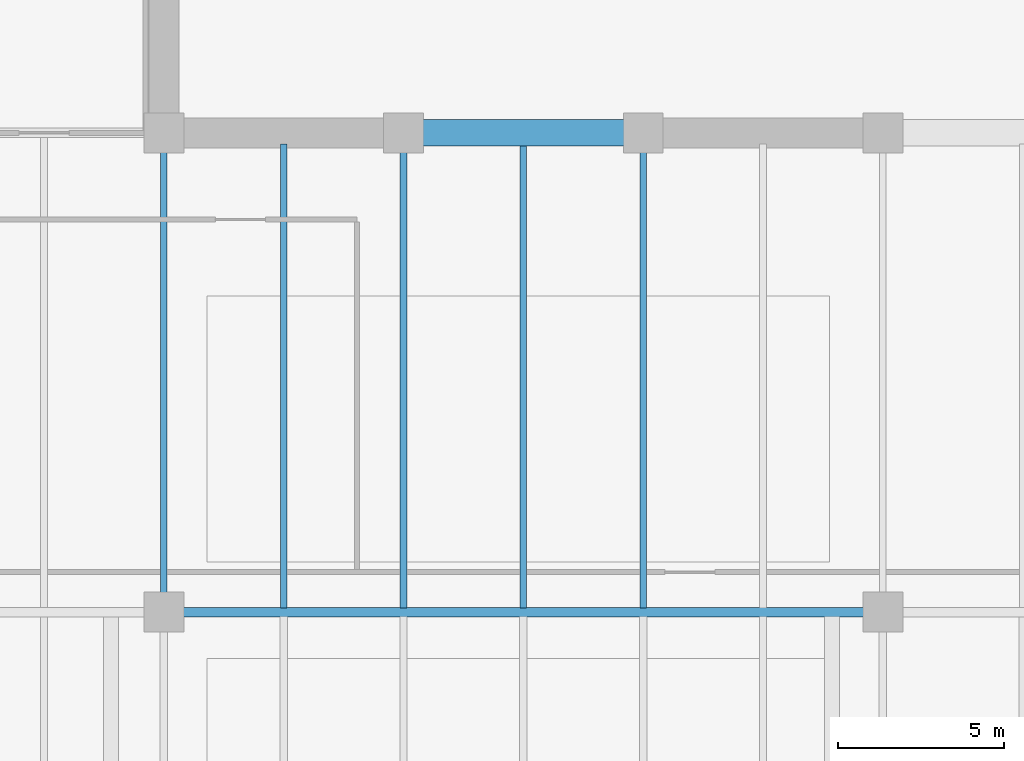
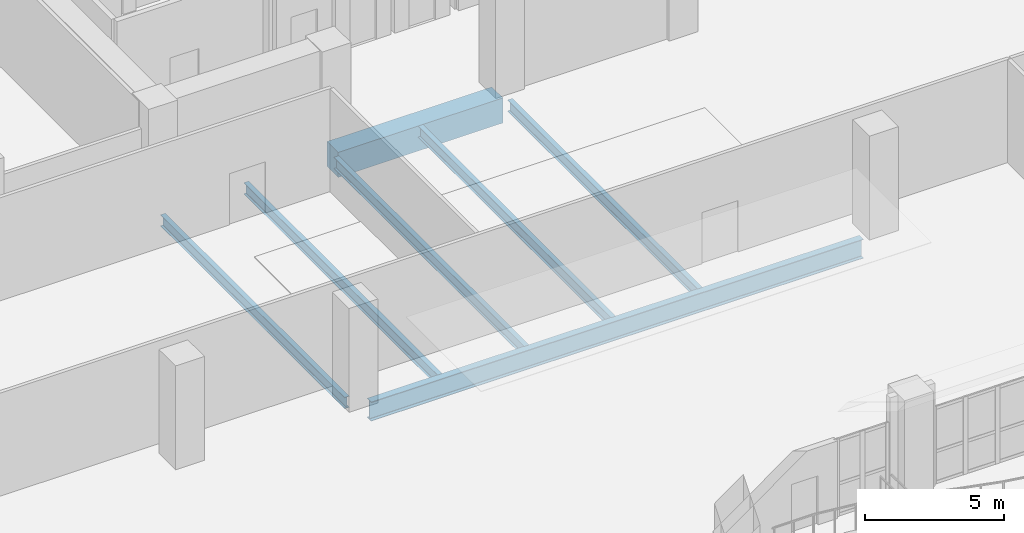
# One storey, part 10 of 37: 7 beams.
"""IFC4 building model written with IfcOpenShell, lengths in metres."""

from ifc_helpers import new_model, si_unit, direction, frame, origin, origin_2d, place, context, subcontext, project, spatial, rectangle, i_section, extrude, material, material_profile, profile_set, type_object, element, save


model = new_model("IFC4")

# Units and contexts
model_context = context("Model", 3, precision=1e-05, world=origin(), true_north=direction((0.0, 1.0)))
body_context = subcontext(model_context, "Body", "Model", "MODEL_VIEW")
ifc_project = project(units=[si_unit("LENGTHUNIT", "METRE"), si_unit("AREAUNIT", "SQUARE_METRE"), si_unit("VOLUMEUNIT", "CUBIC_METRE"), si_unit("PLANEANGLEUNIT", "RADIAN"), si_unit("MASSUNIT", "GRAM", prefix="KILO")], contexts=[model_context])

# Site, building, storey
site_placement = place(None, origin())
site = spatial("IfcSite", under=ifc_project, at=site_placement, CompositionType="ELEMENT")
building_placement = place(site_placement, origin())
building = spatial("IfcBuilding", under=site, at=building_placement, Name="Kaelvorn Grand Hotel", CompositionType="ELEMENT")
storey_placement = place(building_placement, frame((0.0, 0.0, 130.550048828125)))
storey = spatial("IfcBuildingStorey", under=building, at=storey_placement, Name="L31", CompositionType="ELEMENT", Elevation=130.550048828125)

# Beams
ifc_material_1 = material(Name="Steel S355", Category="steel")
ifc_material_profile_1 = material_profile(ifc_material_1, i_section(OverallWidth=0.29248046875, OverallDepth=0.8408203125, WebThickness=0.0146484375, FlangeThickness=0.021728515625, FilletRadius=0.017822265625, at=origin_2d()), Name="UB 838x292x194")
ifc_profile_set_1 = profile_set([ifc_material_profile_1], Name="Steel S355")
beam_type_1 = type_object("IfcBeamType", Name="BM-G-UB838-S355", PredefinedType="BEAM", material=ifc_profile_set_1)
beam_1_placement = place(storey_placement, frame((16.784912109375, 15.0, -0.660400390625), z_axis=(1.0, 0.0, 0.0), x_axis=(0.0, 1.0, 0.0)))
element("IfcBeam", 1, at=beam_1_placement, inside=storey, type_object=beam_type_1, Name="L31 Primary Spine Steel Girder G-15 03", PredefinedType="BEAM", context=body_context, shape_type="SweptSolid", body=[
    extrude(i_section(OverallWidth=0.29248046875, OverallDepth=0.8408203125, WebThickness=0.0146484375, FlangeThickness=0.021728515625, FilletRadius=0.017822265625, at=origin_2d()), origin(), (0.0, 0.0, 1.0), 20.43017578125),
])
ifc_material_profile_2 = material_profile(ifc_material_1, i_section(OverallWidth=0.199951171875, OverallDepth=0.5, WebThickness=0.01025390625, FlangeThickness=0.01611328125, FilletRadius=0.02099609375, at=origin_2d()), Name="IPE 500")
ifc_profile_set_2 = profile_set([ifc_material_profile_2], Name="Steel S355")
beam_type_2 = type_object("IfcBeamType", Name="BM-J-IPE500-S355", PredefinedType="JOIST", material=ifc_profile_set_2)
beam_2_placement = place(storey_placement, frame((16.199951171875, 15.5849609375, -0.489990234375), z_axis=(0.0, 1.0, 0.0), x_axis=(-1.0, 0.0, 0.0)))
element("IfcBeam", 2, at=beam_2_placement, inside=storey, type_object=beam_type_2, Name="L31 Composite Floor Joist JM-05", PredefinedType="JOIST", context=body_context, shape_type="SweptSolid", body=[
    extrude(i_section(OverallWidth=0.199951171875, OverallDepth=0.5, WebThickness=0.01025390625, FlangeThickness=0.01611328125, FilletRadius=0.02099609375, at=origin_2d()), origin(), (0.0, 0.0, 1.0), 13.22998046875),
])
beam_3_placement = place(storey_placement, frame((19.800048828125, 15.131103515625, -0.489990234375), z_axis=(0.0, 1.0, 0.0), x_axis=(-1.0, 0.0, 0.0)))
element("IfcBeam", 3, at=beam_3_placement, inside=storey, type_object=beam_type_2, Name="L31 Composite Floor Joist JM-06", PredefinedType="JOIST", context=body_context, shape_type="SweptSolid", body=[
    extrude(i_section(OverallWidth=0.199951171875, OverallDepth=0.5, WebThickness=0.01025390625, FlangeThickness=0.01611328125, FilletRadius=0.02099609375, at=origin_2d()), origin(), (0.0, 0.0, 1.0), 13.928955078125),
])
beam_4_placement = place(storey_placement, frame((23.39990234375, 15.131103515625, -0.489990234375), z_axis=(0.0, 1.0, 0.0), x_axis=(-1.0, 0.0, 0.0)))
element("IfcBeam", 4, at=beam_4_placement, inside=storey, type_object=beam_type_2, Name="L31 Composite Floor Joist JM-07", PredefinedType="JOIST", context=body_context, shape_type="SweptSolid", body=[
    extrude(i_section(OverallWidth=0.199951171875, OverallDepth=0.5, WebThickness=0.01025390625, FlangeThickness=0.01611328125, FilletRadius=0.02099609375, at=origin_2d()), origin(), (0.0, 0.0, 1.0), 13.683837890625),
])
beam_5_placement = place(storey_placement, frame((27.0, 15.131103515625, -0.489990234375), z_axis=(0.0, 1.0, 0.0), x_axis=(-1.0, 0.0, 0.0)))
element("IfcBeam", 5, at=beam_5_placement, inside=storey, type_object=beam_type_2, Name="L31 Composite Floor Joist JM-08", PredefinedType="JOIST", context=body_context, shape_type="SweptSolid", body=[
    extrude(i_section(OverallWidth=0.199951171875, OverallDepth=0.5, WebThickness=0.01025390625, FlangeThickness=0.01611328125, FilletRadius=0.02099609375, at=origin_2d()), origin(), (0.0, 0.0, 1.0), 13.928955078125),
])
beam_6_placement = place(storey_placement, frame((30.60009765625, 15.131103515625, -0.489990234375), z_axis=(0.0, 1.0, 0.0), x_axis=(-1.0, 0.0, 0.0)))
element("IfcBeam", 6, at=beam_6_placement, inside=storey, type_object=beam_type_2, Name="L31 Composite Floor Joist JM-09", PredefinedType="JOIST", context=body_context, shape_type="SweptSolid", body=[
    extrude(i_section(OverallWidth=0.199951171875, OverallDepth=0.5, WebThickness=0.01025390625, FlangeThickness=0.01611328125, FilletRadius=0.02099609375, at=origin_2d()), origin(), (0.0, 0.0, 1.0), 13.683837890625),
])
ifc_material_2 = material(Name="Concrete C60/75", Category="concrete")
ifc_material_profile_3 = material_profile(ifc_material_2, rectangle(XDim=0.800048828125, YDim=1.10009765625, at=origin_2d()), Name="RC LINTEL 800x1100")
ifc_profile_set_3 = profile_set([ifc_material_profile_3], Name="Concrete C60/75")
beam_type_3 = type_object("IfcBeamType", Name="BM-LIN-800x1100-C60", PredefinedType="LINTEL", material=ifc_profile_set_3)
beam_7_placement = place(storey_placement, frame((23.580078125, 29.39990234375, -0.7900390625), z_axis=(1.0, 0.0, 0.0), x_axis=(0.0, 1.0, 0.0)))
element("IfcBeam", 7, at=beam_7_placement, inside=storey, type_object=beam_type_3, Name="L31 Rear-Core Coupling Lintel Beam CB1-01", PredefinedType="LINTEL", context=body_context, shape_type="SweptSolid", body=[
    extrude(rectangle(XDim=0.800048828125, YDim=1.10009765625, at=origin_2d()), origin(), (0.0, 0.0, 1.0), 6.83984375),
])

save(model, "model.ifc")
